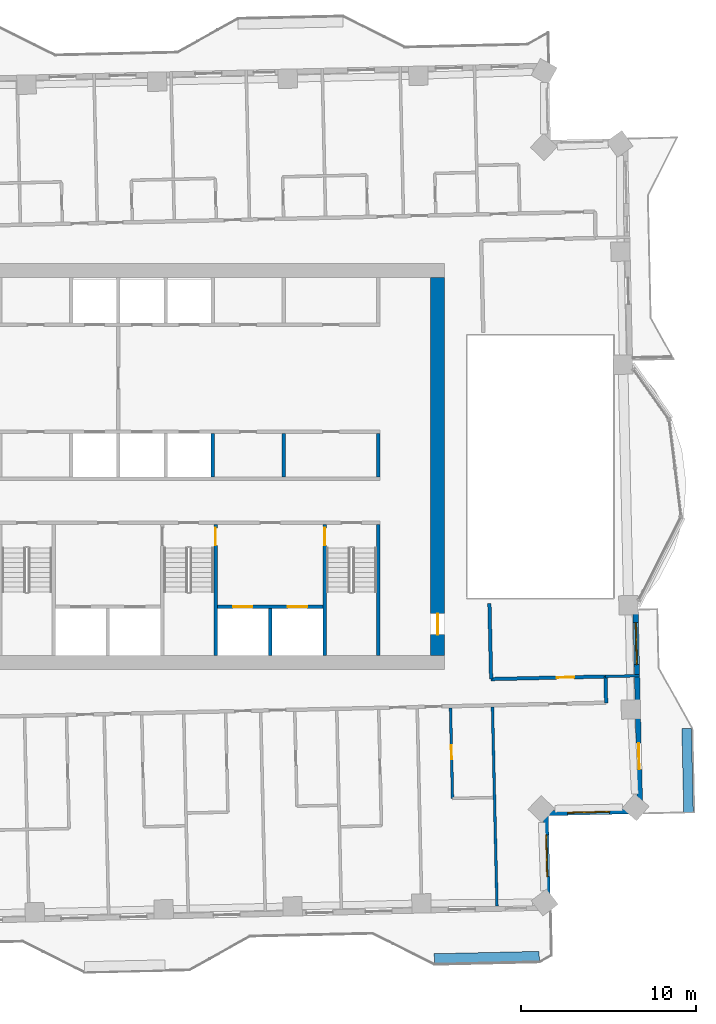
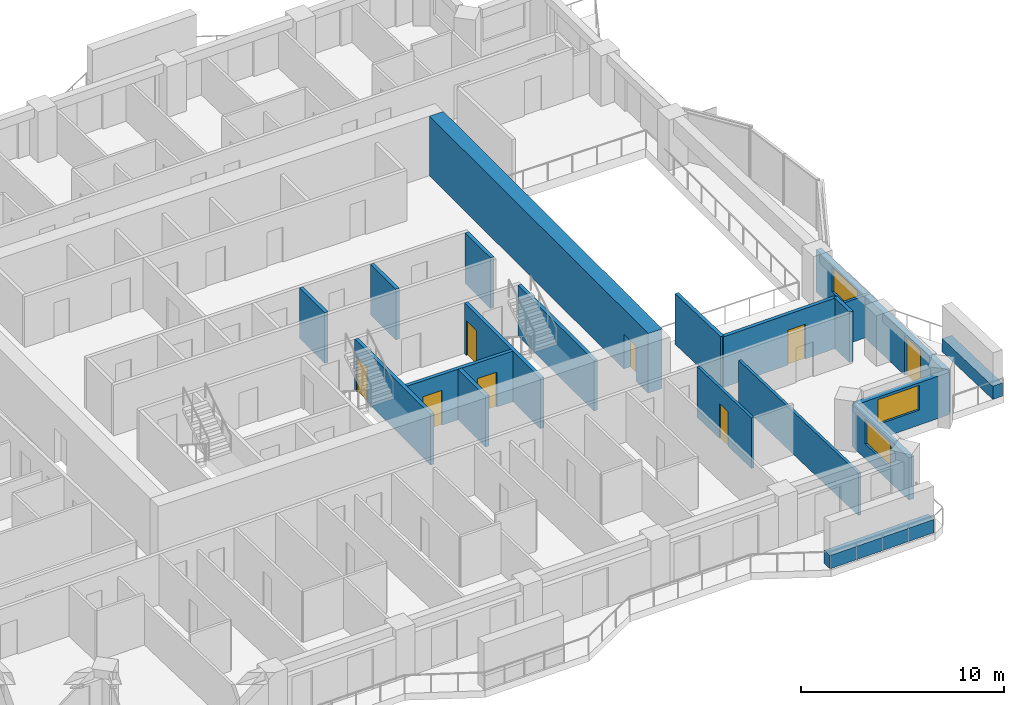
# One storey, part 9 of 17: 20 walls, 8 doors, 3 windows, 11 openings.
"""IFC4 building model written with IfcOpenShell, lengths in metres."""

from ifc_helpers import new_model, si_unit, direction, frame, frame_2d, origin, place, context, subcontext, project, spatial, rectangle, extrude, material, layer, layer_set, type_object, element, fill, save


model = new_model("IFC4")

# Units and contexts
model_context = context("Model", 3, precision=1e-05, world=origin(), true_north=direction((0.0, 1.0)))
body_context = subcontext(model_context, "Body", "Model", "MODEL_VIEW")
ifc_project = project(units=[si_unit("LENGTHUNIT", "METRE"), si_unit("AREAUNIT", "SQUARE_METRE"), si_unit("VOLUMEUNIT", "CUBIC_METRE"), si_unit("PLANEANGLEUNIT", "RADIAN"), si_unit("MASSUNIT", "GRAM", prefix="KILO")], contexts=[model_context])

# Site, building, storey
site_placement = place(None, origin())
site = spatial("IfcSite", under=ifc_project, at=site_placement, CompositionType="ELEMENT")
building_placement = place(site_placement, origin())
building = spatial("IfcBuilding", under=site, at=building_placement, Name="Mangrove Gate Tower", CompositionType="ELEMENT")
storey_placement = place(building_placement, frame((0.0, 0.0, 238.300048828125)))
storey = spatial("IfcBuildingStorey", under=building, at=storey_placement, Name="L60", CompositionType="ELEMENT", Elevation=238.300048828125)

# Walls
ifc_material_1 = material(Name="Concrete C32/40", Category="concrete")
ifc_layer_1 = layer(ifc_material_1, 0.199951171875)
ifc_layer_set_1 = layer_set([ifc_layer_1], Name="Core room wall 200 C32/40")
wall_type_1 = type_object("IfcWallType", Name="Core room wall 200 C32/40", PredefinedType="STANDARD", material=ifc_layer_set_1)
for number, where, z_axis, x_axis, name in (
    (1, (5.39990234375, -0.60009765625, 0.0), (0.0, 0.0, 1.0), (0.0, 1.0, 0.0), "WALL-L60-CORE-24"),
    (2, (10.800048828125, -0.60009765625, 0.0), (0.0, 0.0, 1.0), (0.0, 1.0, 0.0), "WALL-L60-CORE-25"),
):
    element("IfcWall", number, at=place(storey_placement, frame(where, z_axis=z_axis, x_axis=x_axis)), inside=storey, type_object=wall_type_1, Name=name, PredefinedType="STANDARD", context=body_context, shape_type="SweptSolid", body=[
        extrude(rectangle(XDim=2.5, YDim=0.199951171875, at=frame_2d((1.25, 0.0))), origin(), (0.0, 0.0, 1.0), 3.050048828125),
    ])

# Wall, openings, doors
ifc_material_2 = material(Name="Concrete C60/75", Category="concrete")
ifc_layer_2 = layer(ifc_material_2, 0.199951171875)
ifc_layer_set_2 = layer_set([ifc_layer_2], Name="Core shaft wall 200 C60/75")
wall_type_2 = type_object("IfcWallType", Name="Core shaft wall 200 C60/75", PredefinedType="SHEAR", material=ifc_layer_set_2)
wall_1_placement = place(storey_placement, frame((1.60009765625, -8.0, 0.0), z_axis=(0.0, 0.0, 1.0), x_axis=(1.0, 0.0, 0.0)))
wall_1 = element("IfcWall", 3, at=wall_1_placement, inside=storey, type_object=wall_type_2, Name="WALL-L60-CORE-17", PredefinedType="SHEAR", context=body_context, shape_type="SweptSolid", body=[
    extrude(rectangle(XDim=6.0498046875, YDim=0.199951171875, at=frame_2d((3.02490234375, 0.0))), origin(), (0.0, 0.0, 1.0), 3.050048828125),
])
opening_1_placement = place(wall_1_placement, frame((0.91259765625, 0.0, 0.0)))
opening_1 = element("IfcOpeningElement", 4, at=opening_1_placement, cuts=wall_1, Name="Opening LD", PredefinedType="OPENING", context=body_context, shape_type="SweptSolid", body=[
    extrude(rectangle(XDim=1.10009765625, YDim=2.10009765625, at=frame_2d((0.550048828125, 1.050048828125))), frame((0.0, 0.10986328125, 0.0), z_axis=(0.0, -1.0, 0.0), x_axis=(1.0, 0.0, 0.0)), (0.0, 0.0, 1.0), 0.219970703125),
])
opening_2_placement = place(wall_1_placement, frame((4.03759765625, 0.0, 0.0)))
opening_2 = element("IfcOpeningElement", 5, at=opening_2_placement, cuts=wall_1, Name="Opening LD", PredefinedType="OPENING", context=body_context, shape_type="SweptSolid", body=[
    extrude(rectangle(XDim=1.10009765625, YDim=2.10009765625, at=frame_2d((0.550048828125, 1.050048828125))), frame((0.0, 0.10986328125, 0.0), z_axis=(0.0, -1.0, 0.0), x_axis=(1.0, 0.0, 0.0)), (0.0, 0.0, 1.0), 0.219970703125),
])
ifc_material_3 = material(Name="Stainless steel 316", Category="steel")
door_type_1 = type_object("IfcDoorType", Name="Lift landing door 1100x2100", OperationType="SLIDING_TO_LEFT", PredefinedType="DOOR", material=ifc_material_3)
door_1_placement = place(opening_1_placement, origin())
door_1 = element("IfcDoor", 6, at=door_1_placement, inside=storey, type_object=door_type_1, Name="Landing door LD FFL1", OperationType="SLIDING_TO_LEFT", OverallHeight=2.10009765625, OverallWidth=1.10009765625, PredefinedType="DOOR", context=body_context, shape_type="SweptSolid", body=[
    extrude(rectangle(XDim=1.10009765625, YDim=2.10009765625, at=frame_2d((0.550048828125, 1.050048828125))), frame((0.0, 0.02490234375, 0.0), z_axis=(0.0, -1.0, 0.0), x_axis=(1.0, 0.0, 0.0)), (0.0, 0.0, 1.0), 0.050048828125),
])
fill(opening_1, door_1)
door_2_placement = place(opening_2_placement, origin())
door_2 = element("IfcDoor", 7, at=door_2_placement, inside=storey, type_object=door_type_1, Name="Landing door LD FFL2", OperationType="SLIDING_TO_LEFT", OverallHeight=2.10009765625, OverallWidth=1.10009765625, PredefinedType="DOOR", context=body_context, shape_type="SweptSolid", body=[
    extrude(rectangle(XDim=1.10009765625, YDim=2.10009765625, at=frame_2d((0.550048828125, 1.050048828125))), frame((0.0, 0.02490234375, 0.0), z_axis=(0.0, -1.0, 0.0), x_axis=(1.0, 0.0, 0.0)), (0.0, 0.0, 1.0), 0.050048828125),
])
fill(opening_2, door_2)

# Walls
wall_2_placement = place(storey_placement, frame((4.625, -10.800048828125, 0.0), z_axis=(0.0, 0.0, 1.0), x_axis=(0.0, 1.0, 0.0)))
element("IfcWall", 8, at=wall_2_placement, inside=storey, type_object=wall_type_2, Name="WALL-L60-CORE-18", PredefinedType="SHEAR", context=body_context, shape_type="SweptSolid", body=[
    extrude(rectangle(XDim=2.699951171875, YDim=0.199951171875, at=frame_2d((1.35009765625, 0.0))), origin(), (0.0, 0.0, 1.0), 3.050048828125),
])
wall_3_placement = place(storey_placement, frame((1.35009765625, -0.60009765625, 0.0), z_axis=(0.0, 0.0, 1.0), x_axis=(0.0, 1.0, 0.0)))
element("IfcWall", 9, at=wall_3_placement, inside=storey, type_object=wall_type_2, Name="WALL-L60-CORE-23", PredefinedType="SHEAR", context=body_context, shape_type="SweptSolid", body=[
    extrude(rectangle(XDim=2.5, YDim=0.199951171875, at=frame_2d((1.25, 0.0))), origin(), (0.0, 0.0, 1.0), 3.050048828125),
])

# Wall, opening, door
ifc_material_4 = material(Name="Concrete C60/75", Category="concrete")
ifc_layer_3 = layer(ifc_material_4, 0.199951171875)
ifc_layer_set_3 = layer_set([ifc_layer_3], Name="Core stair wall 200 C60/75")
wall_type_3 = type_object("IfcWallType", Name="Core stair wall 200 C60/75", PredefinedType="SHEAR", material=ifc_layer_set_3)
wall_4_placement = place(storey_placement, frame((1.5, -10.800048828125, 0.0), z_axis=(0.0, 0.0, 1.0), x_axis=(0.0, 1.0, 0.0)))
wall_4 = element("IfcWall", 10, at=wall_4_placement, inside=storey, type_object=wall_type_3, Name="WALL-L60-CORE-12", PredefinedType="SHEAR", context=body_context, shape_type="SweptSolid", body=[
    extrude(rectangle(XDim=7.5, YDim=0.199951171875, at=frame_2d((3.75, 0.0))), origin(), (0.0, 0.0, 1.0), 3.050048828125),
])
opening_3_placement = place(wall_4_placement, frame((6.300048828125, 0.0, 0.0)))
opening_3 = element("IfcOpeningElement", 11, at=opening_3_placement, cuts=wall_4, Name="Opening STD10", PredefinedType="OPENING", context=body_context, shape_type="SweptSolid", body=[
    extrude(rectangle(XDim=1.0, YDim=2.10009765625, at=frame_2d((0.5, 1.050048828125))), frame((0.0, 0.10986328125, 0.0), z_axis=(0.0, -1.0, 0.0), x_axis=(1.0, 0.0, 0.0)), (0.0, 0.0, 1.0), 0.219970703125),
])
ifc_material_5 = material(Name="Fire-rated steel door set", Category="steel")
door_type_2 = type_object("IfcDoorType", Name="Stair door FD60 1000x2100", OperationType="SINGLE_SWING_RIGHT", PredefinedType="DOOR", material=ifc_material_5)
door_3_placement = place(opening_3_placement, origin())
door_3 = element("IfcDoor", 12, at=door_3_placement, inside=storey, type_object=door_type_2, Name="Stair door Stair 2 from fire-fighting lobby", OperationType="SINGLE_SWING_RIGHT", OverallHeight=2.10009765625, OverallWidth=1.0, PredefinedType="DOOR", context=body_context, shape_type="SweptSolid", body=[
    extrude(rectangle(XDim=1.0, YDim=2.10009765625, at=frame_2d((0.5, 1.050048828125))), frame((0.0, 0.02490234375, 0.0), z_axis=(0.0, -1.0, 0.0), x_axis=(1.0, 0.0, 0.0)), (0.0, 0.0, 1.0), 0.050048828125),
])
fill(opening_3, door_3)

wall_5_placement = place(storey_placement, frame((7.75, -10.800048828125, 0.0), z_axis=(0.0, 0.0, 1.0), x_axis=(0.0, 1.0, 0.0)))
wall_5 = element("IfcWall", 13, at=wall_5_placement, inside=storey, type_object=wall_type_3, Name="WALL-L60-CORE-13", PredefinedType="SHEAR", context=body_context, shape_type="SweptSolid", body=[
    extrude(rectangle(XDim=7.5, YDim=0.199951171875, at=frame_2d((3.75, 0.0))), origin(), (0.0, 0.0, 1.0), 3.050048828125),
])
opening_4_placement = place(wall_5_placement, frame((6.300048828125, 0.0, 0.0)))
opening_4 = element("IfcOpeningElement", 14, at=opening_4_placement, cuts=wall_5, Name="Opening STD10", PredefinedType="OPENING", context=body_context, shape_type="SweptSolid", body=[
    extrude(rectangle(XDim=1.0, YDim=2.10009765625, at=frame_2d((0.5, 1.050048828125))), frame((0.0, 0.10986328125, 0.0), z_axis=(0.0, -1.0, 0.0), x_axis=(1.0, 0.0, 0.0)), (0.0, 0.0, 1.0), 0.219970703125),
])
door_4_placement = place(opening_4_placement, origin())
door_4 = element("IfcDoor", 15, at=door_4_placement, inside=storey, type_object=door_type_2, Name="Stair door Stair 3 from fire-fighting lobby", OperationType="SINGLE_SWING_RIGHT", OverallHeight=2.10009765625, OverallWidth=1.0, PredefinedType="DOOR", context=body_context, shape_type="SweptSolid", body=[
    extrude(rectangle(XDim=1.0, YDim=2.10009765625, at=frame_2d((0.5, 1.050048828125))), frame((0.0, 0.02490234375, 0.0), z_axis=(0.0, -1.0, 0.0), x_axis=(1.0, 0.0, 0.0)), (0.0, 0.0, 1.0), 0.050048828125),
])
fill(opening_4, door_4)

# Wall
wall_6_placement = place(storey_placement, frame((10.800048828125, -10.800048828125, 0.0), z_axis=(0.0, 0.0, 1.0), x_axis=(0.0, 1.0, 0.0)))
element("IfcWall", 16, at=wall_6_placement, inside=storey, type_object=wall_type_3, Name="WALL-L60-CORE-14", PredefinedType="SHEAR", context=body_context, shape_type="SweptSolid", body=[
    extrude(rectangle(XDim=7.5, YDim=0.199951171875, at=frame_2d((3.75, 0.0))), origin(), (0.0, 0.0, 1.0), 3.050048828125),
])

# Wall, opening, door
ifc_material_6 = material(Name="Concrete C60/75", Category="concrete")
ifc_layer_4 = layer(ifc_material_6, 0.800048828125)
ifc_layer_set_4 = layer_set([ifc_layer_4], Name="Core wall 800 C60/75")
wall_type_4 = type_object("IfcWallType", Name="Core wall 800 C60/75", PredefinedType="SHEAR", material=ifc_layer_set_4)
wall_7_placement = place(storey_placement, frame((14.199951171875, -10.800048828125, 0.0), z_axis=(0.0, 0.0, 1.0), x_axis=(0.0, 1.0, 0.0)))
wall_7 = element("IfcWall", 17, at=wall_7_placement, inside=storey, type_object=wall_type_4, Name="WALL-L60-CORE-4", PredefinedType="SHEAR", context=body_context, shape_type="SweptSolid", body=[
    extrude(rectangle(XDim=21.60009765625, YDim=0.800048828125, at=frame_2d((10.800048828125, 0.0))), origin(), (0.0, 0.0, 1.0), 3.599853515625),
])
opening_5_placement = place(wall_7_placement, frame((1.199951171875, 0.0, 0.0)))
opening_5 = element("IfcOpeningElement", 18, at=opening_5_placement, cuts=wall_7, Name="Opening CD", PredefinedType="OPENING", context=body_context, shape_type="SweptSolid", body=[
    extrude(rectangle(XDim=1.199951171875, YDim=2.10009765625, at=frame_2d((0.60009765625, 1.050048828125))), frame((0.0, 0.409912109375, 0.0), z_axis=(0.0, -1.0, 0.0), x_axis=(1.0, 0.0, 0.0)), (0.0, 0.0, 1.0), 0.820068359375),
])
ifc_material_7 = material(Name="Fire-rated steel door set", Category="steel")
door_type_3 = type_object("IfcDoorType", Name="Core ring door FD60 1200x2100", OperationType="DOUBLE_DOOR_SINGLE_SWING", PredefinedType="DOOR", material=ifc_material_7)
door_5_placement = place(opening_5_placement, origin())
door_5 = element("IfcDoor", 19, at=door_5_placement, inside=storey, type_object=door_type_3, Name="Core ring door E1", OperationType="DOUBLE_DOOR_SINGLE_SWING", OverallHeight=2.10009765625, OverallWidth=1.199951171875, PredefinedType="DOOR", context=body_context, shape_type="SweptSolid", body=[
    extrude(rectangle(XDim=1.199951171875, YDim=2.10009765625, at=frame_2d((0.60009765625, 1.050048828125))), frame((0.0, 0.02490234375, 0.0), z_axis=(0.0, -1.0, 0.0), x_axis=(1.0, 0.0, 0.0)), (0.0, 0.0, 1.0), 0.050048828125),
])
fill(opening_5, door_5)

# Walls
ifc_material_8 = material(Name="Gypsum board on steel stud, EI 60", Category="steel")
ifc_layer_5 = layer(ifc_material_8, 0.199951171875)
ifc_layer_set_5 = layer_set([ifc_layer_5], Name="Corridor wall EI 60")
wall_type_5 = type_object("IfcWallType", Name="Corridor wall EI 60", PredefinedType="PARTITIONING", material=ifc_layer_set_5)
wall_8_placement = place(storey_placement, frame((23.824951171875, -13.5, 0.0), z_axis=(0.0, 0.0, 1.0), x_axis=(-0.022632637625, 0.99974384905, 0.0)))
element("IfcWall", 20, at=wall_8_placement, inside=storey, type_object=wall_type_5, Name="WALL-L60-028", PredefinedType="PARTITIONING", context=body_context, shape_type="SweptSolid", body=[
    extrude(rectangle(XDim=1.49951171875, YDim=0.199951171875, at=frame_2d((0.749755859375, 0.0))), origin(), (0.0, 0.0, 1.0), 3.050048828125),
])
wall_9_placement = place(storey_placement, frame((17.2529296875, -12.14892578125, 0.0), z_axis=(0.0, 0.0, 1.0), x_axis=(-0.022578158225, 0.999745080894, 0.0)))
element("IfcWall", 21, at=wall_9_placement, inside=storey, type_object=wall_type_5, Name="WALL-L60-031", PredefinedType="PARTITIONING", context=body_context, shape_type="SweptSolid", body=[
    extrude(rectangle(XDim=4.336181640625, YDim=0.199951171875, at=frame_2d((2.16796875, 0.0))), origin(), (0.0, 0.0, 1.0), 3.050048828125),
])

# Wall, opening, door
wall_10_placement = place(storey_placement, frame((17.248046875, -12.14501953125, 0.0), z_axis=(0.0, 0.0, 1.0), x_axis=(0.999744752818, 0.022592680497, 0.0)))
wall_10 = element("IfcWall", 22, at=wall_10_placement, inside=storey, type_object=wall_type_5, Name="WALL-L60-034", PredefinedType="PARTITIONING", context=body_context, shape_type="SweptSolid", body=[
    extrude(rectangle(XDim=6.548583984375, YDim=0.199951171875, at=frame_2d((3.2744140625, 0.0))), origin(), (0.0, 0.0, 1.0), 3.050048828125),
])
opening_6_placement = place(wall_10_placement, frame((3.75, 0.0, 0.0)))
opening_6 = element("IfcOpeningElement", 23, at=opening_6_placement, cuts=wall_10, Name="Opening AD", PredefinedType="OPENING", context=body_context, shape_type="SweptSolid", body=[
    extrude(rectangle(XDim=1.0, YDim=2.10009765625, at=frame_2d((0.5, 1.050048828125))), frame((0.0, 0.10986328125, 0.0), z_axis=(0.0, -1.0, 0.0), x_axis=(1.0, 0.0, 0.0)), (0.0, 0.0, 1.0), 0.219970703125),
])
ifc_material_9 = material(Name="Timber door leaf", Category="wood")
door_type_4 = type_object("IfcDoorType", Name="Amenity door 1000", OperationType="SINGLE_SWING_LEFT", PredefinedType="DOOR", material=ifc_material_9)
door_6_placement = place(opening_6_placement, origin())
door_6 = element("IfcDoor", 24, at=door_6_placement, inside=storey, type_object=door_type_4, Name="DOOR-L60-STU-c3b", OperationType="SINGLE_SWING_LEFT", OverallHeight=2.10009765625, OverallWidth=1.0, PredefinedType="DOOR", context=body_context, shape_type="SweptSolid", body=[
    extrude(rectangle(XDim=1.0, YDim=2.10009765625, at=frame_2d((0.5, 1.050048828125))), frame((0.0, 0.02490234375, 0.0), z_axis=(0.0, -1.0, 0.0), x_axis=(1.0, 0.0, 0.0)), (0.0, 0.0, 1.0), 0.050048828125),
])
fill(opening_6, door_6)

# Wall, openings, door, window
ifc_material_10 = material(Name="Limestone", Category="masonry")
ifc_layer_6 = layer(ifc_material_10, 0.0400390625, Name="Limestone cladding")
ifc_material_11 = material(Name="Ventilated air gap")
ifc_layer_7 = layer(ifc_material_11, 0.0400390625, Name="Ventilated cavity")
ifc_material_12 = material(Name="Mineral wool insulation")
ifc_layer_8 = layer(ifc_material_12, 0.06005859375, Name="Insulation")
ifc_material_13 = material(Name="Breather membrane")
ifc_layer_9 = layer(ifc_material_13, 0.001953125, Name="Breather membrane")
ifc_material_14 = material(Name="Concrete C20/25 blockwork", Category="masonry")
ifc_layer_10 = layer(ifc_material_14, 0.14990234375, Name="Blockwork backing wall")
ifc_material_15 = material(Name="Gypsum plaster")
ifc_layer_11 = layer(ifc_material_15, 0.008056640625, Name="Internal plaster")
ifc_layer_set_6 = layer_set([ifc_layer_6, ifc_layer_7, ifc_layer_8, ifc_layer_9, ifc_layer_10, ifc_layer_11], Name="External wall 300 limestone cladding")
wall_type_6 = type_object("IfcWallType", Name="External wall 300 limestone cladding", PredefinedType="SOLIDWALL", material=ifc_layer_set_6)
wall_11_placement = place(storey_placement, frame((25.77001953125, -19.68408203125, 0.0), z_axis=(0.0, 0.0, 1.0), x_axis=(-0.022688489476, 0.999742583091, 0.0)))
wall_11 = element("IfcWall", 25, at=wall_11_placement, inside=storey, type_object=wall_type_6, Name="WALL-L60-E0s1", PredefinedType="SOLIDWALL", context=body_context, shape_type="SweptSolid", body=[
    extrude(rectangle(XDim=12.29931640625, YDim=0.300048828125, at=frame_2d((6.149658203125, 0.0))), origin(), (0.0, 0.0, 1.0), 2.550048828125),
])
opening_7_placement = place(wall_11_placement, frame((2.3798828125, 0.0, 0.0)))
opening_7 = element("IfcOpeningElement", 26, at=opening_7_placement, cuts=wall_11, Name="Opening BD1", PredefinedType="OPENING", context=body_context, shape_type="SweptSolid", body=[
    extrude(rectangle(XDim=1.5, YDim=2.39990234375, at=frame_2d((0.75, 1.199951171875))), frame((0.0, 0.159912109375, 0.0), z_axis=(0.0, -1.0, 0.0), x_axis=(1.0, 0.0, 0.0)), (0.0, 0.0, 1.0), 0.320068359375),
])
opening_8_placement = place(wall_11_placement, frame((8.375, 0.0, 0.89990234375)))
opening_8 = element("IfcOpeningElement", 27, at=opening_8_placement, cuts=wall_11, Name="Opening W2", PredefinedType="OPENING", context=body_context, shape_type="SweptSolid", body=[
    extrude(rectangle(XDim=2.39990234375, YDim=1.5, at=frame_2d((1.199951171875, 0.75))), frame((0.0, 0.159912109375, 0.0), z_axis=(0.0, -1.0, 0.0), x_axis=(1.0, 0.0, 0.0)), (0.0, 0.0, 1.0), 0.320068359375),
])
ifc_material_16 = material(Name="Aluminium frame with laminated clear glass", Category="aluminium")
door_type_5 = type_object("IfcDoorType", Name="Balcony sliding door 1500x2400", OperationType="SLIDING_TO_LEFT", PredefinedType="DOOR", material=ifc_material_16)
door_7_placement = place(opening_7_placement, origin())
door_7 = element("IfcDoor", 28, at=door_7_placement, inside=storey, type_object=door_type_5, Name="DOOR-L60-E0-1", OperationType="SLIDING_TO_LEFT", OverallHeight=2.39990234375, OverallWidth=1.5, PredefinedType="DOOR", context=body_context, shape_type="SweptSolid", body=[
    extrude(rectangle(XDim=1.5, YDim=2.39990234375, at=frame_2d((0.75, 1.199951171875))), frame((0.0, 0.02490234375, 0.0), z_axis=(0.0, -1.0, 0.0), x_axis=(1.0, 0.0, 0.0)), (0.0, 0.0, 1.0), 0.050048828125),
])
fill(opening_7, door_7)
ifc_material_17 = material(Name="Aluminium frame with double-glazed low-e glass", Category="aluminium")
window_type = type_object("IfcWindowType", Name="Corner room window 2400x1500", PartitioningType="DOUBLE_PANEL_VERTICAL", PredefinedType="WINDOW", material=ifc_material_17)
window_1_placement = place(opening_8_placement, origin())
window_1 = element("IfcWindow", 29, at=window_1_placement, inside=storey, type_object=window_type, Name="WIN-L60-E0-2", OverallHeight=1.5, OverallWidth=2.39990234375, PartitioningType="DOUBLE_PANEL_VERTICAL", PredefinedType="WINDOW", context=body_context, shape_type="SweptSolid", body=[
    extrude(rectangle(XDim=2.39990234375, YDim=1.5, at=frame_2d((1.199951171875, 0.75))), frame((0.0, 0.030029296875, 0.0), z_axis=(0.0, -1.0, 0.0), x_axis=(1.0, 0.0, 0.0)), (0.0, 0.0, 1.0), 0.06005859375),
])
fill(opening_8, window_1)

# Wall, opening, window
wall_12_placement = place(storey_placement, frame((20.493896484375, -25.205078125, 0.0), z_axis=(0.0, 0.0, 1.0), x_axis=(-0.022558128916, 0.999745533033, 0.0)))
wall_12 = element("IfcWall", 30, at=wall_12_placement, inside=storey, type_object=wall_type_6, Name="WALL-L60-E14", PredefinedType="SOLIDWALL", context=body_context, shape_type="SweptSolid", body=[
    extrude(rectangle(XDim=5.400634765625, YDim=0.300048828125, at=frame_2d((2.7001953125, 0.0))), origin(), (0.0, 0.0, 1.0), 2.550048828125),
])
opening_9_placement = place(wall_12_placement, frame((1.761962890625, 0.0, 0.89990234375)))
opening_9 = element("IfcOpeningElement", 31, at=opening_9_placement, cuts=wall_12, Name="Opening W2", PredefinedType="OPENING", context=body_context, shape_type="SweptSolid", body=[
    extrude(rectangle(XDim=2.39990234375, YDim=1.5, at=frame_2d((1.199951171875, 0.75))), frame((0.0, 0.159912109375, 0.0), z_axis=(0.0, -1.0, 0.0), x_axis=(1.0, 0.0, 0.0)), (0.0, 0.0, 1.0), 0.320068359375),
])
window_2_placement = place(opening_9_placement, origin())
window_2 = element("IfcWindow", 32, at=window_2_placement, inside=storey, type_object=window_type, Name="WIN-L60-E14-1", OverallHeight=1.5, OverallWidth=2.39990234375, PartitioningType="DOUBLE_PANEL_VERTICAL", PredefinedType="WINDOW", context=body_context, shape_type="SweptSolid", body=[
    extrude(rectangle(XDim=2.39990234375, YDim=1.5, at=frame_2d((1.199951171875, 0.75))), frame((0.0, 0.030029296875, 0.0), z_axis=(0.0, -1.0, 0.0), x_axis=(1.0, 0.0, 0.0)), (0.0, 0.0, 1.0), 0.06005859375),
])
fill(opening_9, window_2)

wall_13_placement = place(storey_placement, frame((20.3720703125, -19.805908203125, 0.0), z_axis=(0.0, 0.0, 1.0), x_axis=(0.999745417973, 0.02256322766, 0.0)))
wall_13 = element("IfcWall", 33, at=wall_13_placement, inside=storey, type_object=wall_type_6, Name="WALL-L60-S15", PredefinedType="SOLIDWALL", context=body_context, shape_type="SweptSolid", body=[
    extrude(rectangle(XDim=5.3994140625, YDim=0.300048828125, at=frame_2d((2.69970703125, 0.0))), origin(), (0.0, 0.0, 1.0), 2.550048828125),
])
opening_10_placement = place(wall_13_placement, frame((1.251953125, 0.0, 0.89990234375)))
opening_10 = element("IfcOpeningElement", 34, at=opening_10_placement, cuts=wall_13, Name="Opening W2", PredefinedType="OPENING", context=body_context, shape_type="SweptSolid", body=[
    extrude(rectangle(XDim=2.39990234375, YDim=1.5, at=frame_2d((1.199951171875, 0.75))), frame((0.0, 0.159912109375, 0.0), z_axis=(0.0, -1.0, 0.0), x_axis=(1.0, 0.0, 0.0)), (0.0, 0.0, 1.0), 0.320068359375),
])
window_3_placement = place(opening_10_placement, origin())
window_3 = element("IfcWindow", 35, at=window_3_placement, inside=storey, type_object=window_type, Name="WIN-L60-S15-1", OverallHeight=1.5, OverallWidth=2.39990234375, PartitioningType="DOUBLE_PANEL_VERTICAL", PredefinedType="WINDOW", context=body_context, shape_type="SweptSolid", body=[
    extrude(rectangle(XDim=2.39990234375, YDim=1.5, at=frame_2d((1.199951171875, 0.75))), frame((0.0, 0.030029296875, 0.0), z_axis=(0.0, -1.0, 0.0), x_axis=(1.0, 0.0, 0.0)), (0.0, 0.0, 1.0), 0.06005859375),
])
fill(opening_10, window_3)

# Wall
ifc_material_18 = material(Name="Gypsum board on steel stud, EI 60", Category="steel")
ifc_layer_12 = layer(ifc_material_18, 0.14990234375)
ifc_layer_set_7 = layer_set([ifc_layer_12], Name="Party wall 150 EI 60")
wall_type_7 = type_object("IfcWallType", Name="Party wall 150 EI 60", PredefinedType="PARTITIONING", material=ifc_layer_set_7)
wall_14_placement = place(storey_placement, frame((17.5869140625, -25.12109375, 0.0), z_axis=(0.0, 0.0, 1.0), x_axis=(-0.022662905301, 0.999743163379, 0.0)))
element("IfcWall", 36, at=wall_14_placement, inside=storey, type_object=wall_type_7, Name="WALL-L60-009", PredefinedType="PARTITIONING", context=body_context, shape_type="SweptSolid", body=[
    extrude(rectangle(XDim=11.3759765625, YDim=0.14990234375, at=frame_2d((5.68798828125, 0.0))), origin(), (0.0, 0.0, 1.0), 2.550048828125),
])

# Wall, opening, door
wall_15_placement = place(storey_placement, frame((15.047119140625, -18.970947265625, 0.0), z_axis=(0.0, 0.0, 1.0), x_axis=(-0.022665628603, 0.999743101642, 0.0)))
wall_15 = element("IfcWall", 37, at=wall_15_placement, inside=storey, type_object=wall_type_7, Name="WALL-L60-023", PredefinedType="PARTITIONING", context=body_context, shape_type="SweptSolid", body=[
    extrude(rectangle(XDim=5.170166015625, YDim=0.14990234375, at=frame_2d((2.5849609375, 0.0))), origin(), (0.0, 0.0, 1.0), 3.050048828125),
])
opening_11_placement = place(wall_15_placement, frame((2.235107421875, 0.0, 0.0)))
opening_11 = element("IfcOpeningElement", 38, at=opening_11_placement, cuts=wall_15, Name="Opening ED", PredefinedType="OPENING", context=body_context, shape_type="SweptSolid", body=[
    extrude(rectangle(XDim=0.800048828125, YDim=2.10009765625, at=frame_2d((0.39990234375, 1.050048828125))), frame((0.0, 0.0849609375, 0.0), z_axis=(0.0, -1.0, 0.0), x_axis=(1.0, 0.0, 0.0)), (0.0, 0.0, 1.0), 0.169921875),
])
ifc_material_19 = material(Name="Timber door leaf", Category="wood")
door_type_6 = type_object("IfcDoorType", Name="En-suite door 800", OperationType="SINGLE_SWING_LEFT", PredefinedType="DOOR", material=ifc_material_19)
door_8_placement = place(opening_11_placement, origin())
door_8 = element("IfcDoor", 39, at=door_8_placement, inside=storey, type_object=door_type_6, Name="DOOR-L60-ENS-c308", OperationType="SINGLE_SWING_RIGHT", OverallHeight=2.10009765625, OverallWidth=0.800048828125, PredefinedType="DOOR", context=body_context, shape_type="SweptSolid", body=[
    extrude(rectangle(XDim=0.800048828125, YDim=2.10009765625, at=frame_2d((0.39990234375, 1.050048828125))), frame((0.0, 0.02490234375, 0.0), z_axis=(0.0, -1.0, 0.0), x_axis=(1.0, 0.0, 0.0)), (0.0, 0.0, 1.0), 0.050048828125),
])
fill(opening_11, door_8)

# Walls
wall_16_placement = place(storey_placement, frame((23.794921875, -11.9970703125, 0.0), z_axis=(0.0, 0.0, 1.0), x_axis=(0.999731921069, 0.023153530971, 0.0)))
element("IfcWall", 40, at=wall_16_placement, inside=storey, type_object=wall_type_7, Name="WALL-L60-035", PredefinedType="PARTITIONING", context=body_context, shape_type="SweptSolid", body=[
    extrude(rectangle(XDim=1.95068359375, YDim=0.14990234375, at=frame_2d((0.975341796875, 0.0))), origin(), (0.0, 0.0, 1.0), 2.550048828125),
])
ifc_material_20 = material(Name="Concrete C32/40", Category="concrete")
ifc_layer_13 = layer(ifc_material_20, 0.199951171875, Name="Planter trough wall")
ifc_material_21 = material(Name="Bituminous waterproofing membrane")
ifc_layer_14 = layer(ifc_material_21, 0.0048828125, Name="Waterproofing")
ifc_material_22 = material(Name="Drainage board and gravel")
ifc_layer_15 = layer(ifc_material_22, 0.044921875, Name="Drainage layer")
ifc_material_23 = material(Name="Planting soil")
ifc_layer_16 = layer(ifc_material_23, 0.300048828125, Name="Growing medium")
ifc_layer_set_8 = layer_set([ifc_layer_13, ifc_layer_14, ifc_layer_15, ifc_layer_16], Name="Planter wall 550 C32/40")
wall_type_8 = type_object("IfcWallType", Name="Planter wall 550 C32/40", PredefinedType="USERDEFINED", material=ifc_layer_set_8)
wall_17_placement = place(storey_placement, frame((28.5380859375, -19.77099609375, 0.0), z_axis=(0.0, 0.0, 1.0), x_axis=(-0.022734113616, 0.99974154664, 0.0)))
element("IfcWall", 41, at=wall_17_placement, inside=storey, type_object=wall_type_8, Name="PLANTER L60 E0.1", ObjectType="PLANTER", PredefinedType="USERDEFINED", context=body_context, shape_type="SweptSolid", body=[
    extrude(rectangle(XDim=4.80029296875, YDim=0.550048828125, at=frame_2d((2.400146484375, 0.0))), origin(), (0.0, 0.0, 1.0), 0.800048828125),
])
wall_18_placement = place(storey_placement, frame((14.0048828125, -28.117919921875, 0.0), z_axis=(0.0, 0.0, 1.0), x_axis=(0.999743094499, 0.022665943652, 0.0)))
element("IfcWall", 42, at=wall_18_placement, inside=storey, type_object=wall_type_8, Name="PLANTER L60 S1.1", ObjectType="PLANTER", PredefinedType="USERDEFINED", context=body_context, shape_type="SweptSolid", body=[
    extrude(rectangle(XDim=5.99951171875, YDim=0.550048828125, at=frame_2d((2.999755859375, 0.0))), origin(), (0.0, 0.0, 1.0), 0.800048828125),
])

save(model, "model.ifc")
